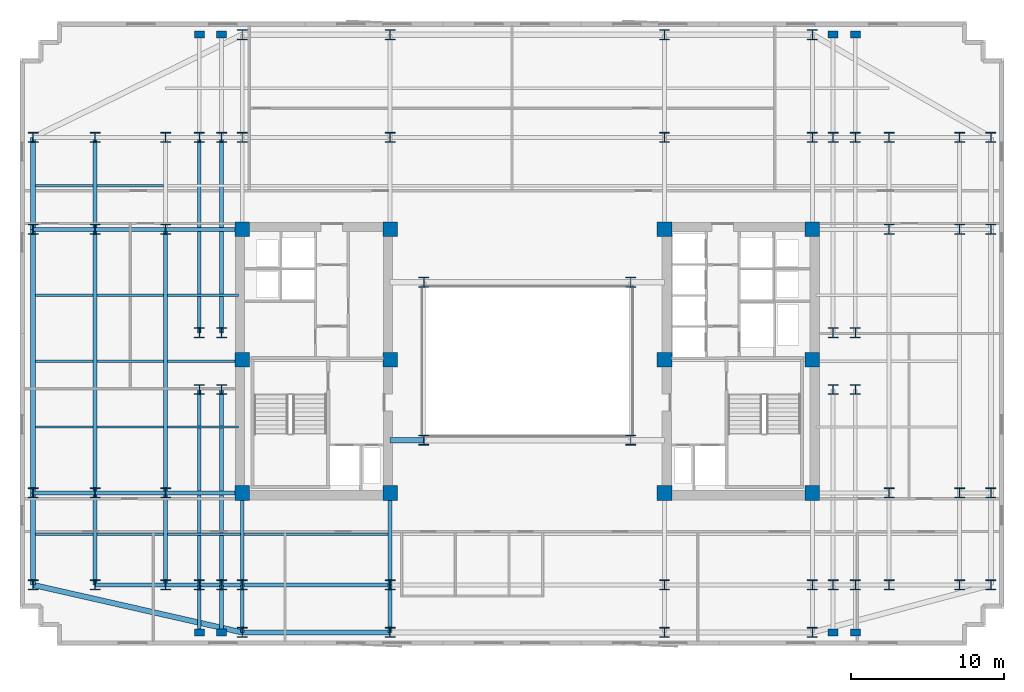
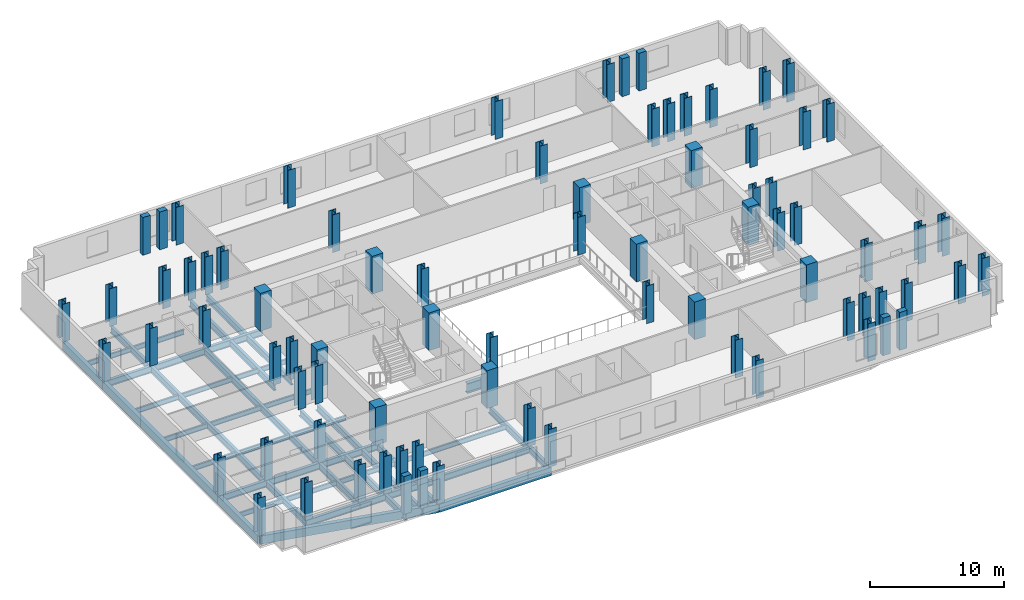
# One storey, part 1 of 10: 80 columns, 45 beams.
"""IFC4 building model written with IfcOpenShell, lengths in metres."""

from ifc_helpers import new_model, si_unit, direction, frame, origin, origin_2d, place, context, subcontext, project, spatial, rectangle, i_section, extrude, material, material_profile, profile_set, type_object, element, save


model = new_model("IFC4")

# Units and contexts
model_context = context("Model", 3, precision=1e-05, world=origin(), true_north=direction((0.0, 1.0)))
body_context = subcontext(model_context, "Body", "Model", "MODEL_VIEW")
ifc_project = project(units=[si_unit("LENGTHUNIT", "METRE"), si_unit("AREAUNIT", "SQUARE_METRE"), si_unit("VOLUMEUNIT", "CUBIC_METRE"), si_unit("PLANEANGLEUNIT", "RADIAN"), si_unit("MASSUNIT", "GRAM", prefix="KILO")], contexts=[model_context])

# Site, building, storey
site_placement = place(None, origin())
site = spatial("IfcSite", under=ifc_project, at=site_placement, CompositionType="ELEMENT")
building_placement = place(site_placement, origin())
building = spatial("IfcBuilding", under=site, at=building_placement, Name="Velakula Bourse", CompositionType="ELEMENT")
storey_placement = place(building_placement, frame((0.0, 0.0, 145.0)))
storey = spatial("IfcBuildingStorey", under=building, at=storey_placement, Name="L39", CompositionType="ELEMENT", Elevation=145.0)

# Columns
ifc_material_1 = material(Name="Concrete M70 (fck 70 MPa)", Category="concrete")
ifc_material_profile_1 = material_profile(ifc_material_1, rectangle(XDim=0.949951171875, YDim=0.949951171875, at=origin_2d()), Name="Concrete M70 (fck 70 MPa)")
ifc_profile_set_1 = profile_set([ifc_material_profile_1], Name="Concrete M70 (fck 70 MPa)")
column_type_1 = type_object("IfcColumnType", Name="COL-RC-950", PredefinedType="COLUMN", material=ifc_profile_set_1)
for number, where, z_axis, x_axis, name in (
    (1, (-8.949951171875, -8.60009765625, 0.0), (0.0, 0.0, 1.0), (1.0, 0.0, 0.0), "L39 Core Boundary Column 01"),
    (2, (-8.949951171875, 0.10009765625, 0.0), (0.0, 0.0, 1.0), (1.0, 0.0, 0.0), "L39 Core Boundary Column 02"),
    (3, (-8.949951171875, 8.60009765625, 0.0), (0.0, 0.0, 1.0), (1.0, 0.0, 0.0), "L39 Core Boundary Column 03"),
    (4, (-18.60009765625, -8.60009765625, 0.0), (0.0, 0.0, 1.0), (1.0, 0.0, 0.0), "L39 Core Boundary Column 04"),
    (5, (-18.60009765625, 0.10009765625, 0.0), (0.0, 0.0, 1.0), (1.0, 0.0, 0.0), "L39 Core Boundary Column 05"),
    (6, (-18.60009765625, 8.60009765625, 0.0), (0.0, 0.0, 1.0), (1.0, 0.0, 0.0), "L39 Core Boundary Column 06"),
    (7, (8.949951171875, -8.60009765625, 0.0), (0.0, 0.0, 1.0), (1.0, 0.0, 0.0), "L39 Core Boundary Column 07"),
    (8, (8.949951171875, 0.10009765625, 0.0), (0.0, 0.0, 1.0), (1.0, 0.0, 0.0), "L39 Core Boundary Column 08"),
    (9, (8.949951171875, 8.60009765625, 0.0), (0.0, 0.0, 1.0), (1.0, 0.0, 0.0), "L39 Core Boundary Column 09"),
    (10, (18.60009765625, -8.60009765625, 0.0), (0.0, 0.0, 1.0), (1.0, 0.0, 0.0), "L39 Core Boundary Column 10"),
    (11, (18.60009765625, 0.10009765625, 0.0), (0.0, 0.0, 1.0), (1.0, 0.0, 0.0), "L39 Core Boundary Column 11"),
    (12, (18.60009765625, 8.60009765625, 0.0), (0.0, 0.0, 1.0), (1.0, 0.0, 0.0), "L39 Core Boundary Column 12"),
):
    element("IfcColumn", number, at=place(storey_placement, frame(where, z_axis=z_axis, x_axis=x_axis)), inside=storey, type_object=column_type_1, Name=name, PredefinedType="COLUMN", context=body_context, shape_type="SweptSolid", body=[
        extrude(rectangle(XDim=0.949951171875, YDim=0.949951171875, at=origin_2d()), origin(), (0.0, 0.0, 1.0), 3.449951171875),
    ])
ifc_material_2 = material(Name="Steel IS 2062 Grade 350 (E350)", Category="steel")
ifc_material_profile_2 = material_profile(ifc_material_2, i_section(OverallWidth=0.64990234375, OverallDepth=0.64990234375, WebThickness=0.028076171875, FlangeThickness=0.0400390625, at=origin_2d()), Name="Steel IS 2062 Grade 350 (E350)")
ifc_profile_set_2 = profile_set([ifc_material_profile_2], Name="Steel IS 2062 Grade 350 (E350)")
column_type_2 = type_object("IfcColumnType", Name="COL-STL-650", PredefinedType="COLUMN", material=ifc_profile_set_2)
for number, where, z_axis, x_axis, name in (
    (13, (-6.75, -5.14990234375, 0.0), (0.0, 0.0, 1.0), (1.0, 0.0, 0.0), "L39 Central Spine Column 01"),
    (14, (-6.75, 5.14990234375, 0.0), (0.0, 0.0, 1.0), (1.0, 0.0, 0.0), "L39 Central Spine Column 02"),
    (15, (6.75, -5.14990234375, 0.0), (0.0, 0.0, 1.0), (1.0, 0.0, 0.0), "L39 Central Spine Column 03"),
    (16, (6.75, 5.14990234375, 0.0), (0.0, 0.0, 1.0), (1.0, 0.0, 0.0), "L39 Central Spine Column 04"),
    (17, (-21.39990234375, -14.60009765625, 0.0), (0.0, 0.0, 1.0), (1.0, 0.0, 0.0), "L39 Tower Fulcrum Column 01"),
    (18, (-21.39990234375, 14.60009765625, 0.0), (0.0, 0.0, 1.0), (1.0, 0.0, 0.0), "L39 Tower Fulcrum Column 02"),
    (19, (-19.949951171875, -14.60009765625, 0.0), (0.0, 0.0, 1.0), (1.0, 0.0, 0.0), "L39 Tower Fulcrum Column 03"),
    (20, (-19.949951171875, 14.60009765625, 0.0), (0.0, 0.0, 1.0), (1.0, 0.0, 0.0), "L39 Tower Fulcrum Column 04"),
    (21, (-18.60009765625, -14.60009765625, 0.0), (0.0, 0.0, 1.0), (1.0, 0.0, 0.0), "L39 Tower Fulcrum Column 05"),
    (22, (-18.60009765625, 14.60009765625, 0.0), (0.0, 0.0, 1.0), (1.0, 0.0, 0.0), "L39 Tower Fulcrum Column 06"),
    (23, (-8.949951171875, -14.60009765625, 0.0), (0.0, 0.0, 1.0), (1.0, 0.0, 0.0), "L39 Tower Fulcrum Column 07"),
    (24, (-8.949951171875, 14.60009765625, 0.0), (0.0, 0.0, 1.0), (1.0, 0.0, 0.0), "L39 Tower Fulcrum Column 08"),
    (25, (8.949951171875, -14.60009765625, 0.0), (0.0, 0.0, 1.0), (1.0, 0.0, 0.0), "L39 Tower Fulcrum Column 09"),
    (26, (8.949951171875, 14.60009765625, 0.0), (0.0, 0.0, 1.0), (1.0, 0.0, 0.0), "L39 Tower Fulcrum Column 10"),
    (27, (18.60009765625, -14.60009765625, 0.0), (0.0, 0.0, 1.0), (1.0, 0.0, 0.0), "L39 Tower Fulcrum Column 11"),
    (28, (18.60009765625, 14.60009765625, 0.0), (0.0, 0.0, 1.0), (1.0, 0.0, 0.0), "L39 Tower Fulcrum Column 12"),
    (29, (19.949951171875, -14.60009765625, 0.0), (0.0, 0.0, 1.0), (1.0, 0.0, 0.0), "L39 Tower Fulcrum Column 13"),
    (30, (19.949951171875, 14.60009765625, 0.0), (0.0, 0.0, 1.0), (1.0, 0.0, 0.0), "L39 Tower Fulcrum Column 14"),
    (31, (21.39990234375, -14.60009765625, 0.0), (0.0, 0.0, 1.0), (1.0, 0.0, 0.0), "L39 Tower Fulcrum Column 15"),
    (32, (21.39990234375, 14.60009765625, 0.0), (0.0, 0.0, 1.0), (1.0, 0.0, 0.0), "L39 Tower Fulcrum Column 16"),
    (33, (-21.39990234375, -1.85009765625, 0.0), (0.0, 0.0, 1.0), (1.0, 0.0, 0.0), "L39 Tower Fulcrum Column 17"),
    (34, (-21.39990234375, 1.85009765625, 0.0), (0.0, 0.0, 1.0), (1.0, 0.0, 0.0), "L39 Tower Fulcrum Column 18"),
    (35, (-19.949951171875, -1.85009765625, 0.0), (0.0, 0.0, 1.0), (1.0, 0.0, 0.0), "L39 Tower Fulcrum Column 19"),
    (36, (-19.949951171875, 1.85009765625, 0.0), (0.0, 0.0, 1.0), (1.0, 0.0, 0.0), "L39 Tower Fulcrum Column 20"),
    (37, (19.949951171875, -1.85009765625, 0.0), (0.0, 0.0, 1.0), (1.0, 0.0, 0.0), "L39 Tower Fulcrum Column 21"),
    (38, (19.949951171875, 1.85009765625, 0.0), (0.0, 0.0, 1.0), (1.0, 0.0, 0.0), "L39 Tower Fulcrum Column 22"),
    (39, (21.39990234375, -1.85009765625, 0.0), (0.0, 0.0, 1.0), (1.0, 0.0, 0.0), "L39 Tower Fulcrum Column 23"),
    (40, (21.39990234375, 1.85009765625, 0.0), (0.0, 0.0, 1.0), (1.0, 0.0, 0.0), "L39 Tower Fulcrum Column 24"),
    (41, (-23.60009765625, -14.60009765625, 0.0), (0.0, 0.0, 1.0), (1.0, 0.0, 0.0), "L39 Mid-Wing Plumb Column 01"),
    (42, (-23.60009765625, -8.60009765625, 0.0), (0.0, 0.0, 1.0), (1.0, 0.0, 0.0), "L39 Mid-Wing Plumb Column 02"),
    (43, (-23.60009765625, 8.60009765625, 0.0), (0.0, 0.0, 1.0), (1.0, 0.0, 0.0), "L39 Mid-Wing Plumb Column 03"),
    (44, (-23.60009765625, 14.60009765625, 0.0), (0.0, 0.0, 1.0), (1.0, 0.0, 0.0), "L39 Mid-Wing Plumb Column 04"),
    (45, (23.60009765625, -14.60009765625, 0.0), (0.0, 0.0, 1.0), (1.0, 0.0, 0.0), "L39 Mid-Wing Plumb Column 05"),
    (46, (23.60009765625, -8.60009765625, 0.0), (0.0, 0.0, 1.0), (1.0, 0.0, 0.0), "L39 Mid-Wing Plumb Column 06"),
    (47, (23.60009765625, 8.60009765625, 0.0), (0.0, 0.0, 1.0), (1.0, 0.0, 0.0), "L39 Mid-Wing Plumb Column 07"),
    (48, (23.60009765625, 14.60009765625, 0.0), (0.0, 0.0, 1.0), (1.0, 0.0, 0.0), "L39 Mid-Wing Plumb Column 08"),
    (49, (-28.199951171875, -14.60009765625, 0.0), (0.0, 0.0, 1.0), (1.0, 0.0, 0.0), "L39 Lower Wing Column 01"),
    (50, (-28.199951171875, -8.60009765625, 0.0), (0.0, 0.0, 1.0), (1.0, 0.0, 0.0), "L39 Lower Wing Column 02"),
    (51, (-28.199951171875, 8.60009765625, 0.0), (0.0, 0.0, 1.0), (1.0, 0.0, 0.0), "L39 Lower Wing Column 03"),
    (52, (-28.199951171875, 14.60009765625, 0.0), (0.0, 0.0, 1.0), (1.0, 0.0, 0.0), "L39 Lower Wing Column 04"),
    (53, (28.199951171875, -14.60009765625, 0.0), (0.0, 0.0, 1.0), (1.0, 0.0, 0.0), "L39 Lower Wing Column 05"),
    (54, (28.199951171875, -8.60009765625, 0.0), (0.0, 0.0, 1.0), (1.0, 0.0, 0.0), "L39 Lower Wing Column 06"),
    (55, (28.199951171875, 8.60009765625, 0.0), (0.0, 0.0, 1.0), (1.0, 0.0, 0.0), "L39 Lower Wing Column 07"),
    (56, (28.199951171875, 14.60009765625, 0.0), (0.0, 0.0, 1.0), (1.0, 0.0, 0.0), "L39 Lower Wing Column 08"),
    (57, (-18.60009765625, -17.699951171875, 0.0), (0.0, 0.0, 1.0), (1.0, 0.0, 0.0), "L39 Block B3 Perimeter Column S1"),
    (58, (-8.949951171875, -17.699951171875, 0.0), (0.0, 0.0, 1.0), (1.0, 0.0, 0.0), "L39 Block B3 Perimeter Column S2"),
    (59, (8.949951171875, -17.699951171875, 0.0), (0.0, 0.0, 1.0), (1.0, 0.0, 0.0), "L39 Block B3 Perimeter Column S3"),
    (60, (18.60009765625, -17.699951171875, 0.0), (0.0, 0.0, 1.0), (1.0, 0.0, 0.0), "L39 Block B3 Perimeter Column S4"),
    (61, (-18.60009765625, 21.300048828125, 0.0), (0.0, 0.0, 1.0), (1.0, 0.0, 0.0), "L39 Block B3 Perimeter Column N1"),
    (62, (-8.949951171875, 21.300048828125, 0.0), (0.0, 0.0, 1.0), (1.0, 0.0, 0.0), "L39 Block B3 Perimeter Column N2"),
    (63, (8.949951171875, 21.300048828125, 0.0), (0.0, 0.0, 1.0), (1.0, 0.0, 0.0), "L39 Block B3 Perimeter Column N3"),
    (64, (18.60009765625, 21.300048828125, 0.0), (0.0, 0.0, 1.0), (1.0, 0.0, 0.0), "L39 Block B3 Perimeter Column N4"),
    (65, (-32.25, -14.60009765625, 0.0), (0.0, 0.0, 1.0), (1.0, 0.0, 0.0), "L39 Block B3 Perimeter Column W1"),
    (66, (-32.25, -8.60009765625, 0.0), (0.0, 0.0, 1.0), (1.0, 0.0, 0.0), "L39 Block B3 Perimeter Column W2"),
    (67, (-32.25, 8.60009765625, 0.0), (0.0, 0.0, 1.0), (1.0, 0.0, 0.0), "L39 Block B3 Perimeter Column W3"),
    (68, (-32.25, 14.60009765625, 0.0), (0.0, 0.0, 1.0), (1.0, 0.0, 0.0), "L39 Block B3 Perimeter Column W4"),
    (69, (30.25, -14.60009765625, 0.0), (0.0, 0.0, 1.0), (1.0, 0.0, 0.0), "L39 Block B3 Perimeter Column E1"),
    (70, (30.25, -8.60009765625, 0.0), (0.0, 0.0, 1.0), (1.0, 0.0, 0.0), "L39 Block B3 Perimeter Column E2"),
    (71, (30.25, 8.60009765625, 0.0), (0.0, 0.0, 1.0), (1.0, 0.0, 0.0), "L39 Block B3 Perimeter Column E3"),
    (72, (30.25, 14.60009765625, 0.0), (0.0, 0.0, 1.0), (1.0, 0.0, 0.0), "L39 Block B3 Perimeter Column E4"),
):
    element("IfcColumn", number, at=place(storey_placement, frame(where, z_axis=z_axis, x_axis=x_axis)), inside=storey, type_object=column_type_2, Name=name, PredefinedType="COLUMN", context=body_context, shape_type="SweptSolid", body=[
        extrude(i_section(OverallWidth=0.64990234375, OverallDepth=0.64990234375, WebThickness=0.028076171875, FlangeThickness=0.0400390625, at=origin_2d()), origin(), (0.0, 0.0, 1.0), 3.449951171875),
    ])
ifc_material_3 = material(Name="Precast concrete M45 (fck 45 MPa)", Category="concrete")
ifc_material_profile_3 = material_profile(ifc_material_3, rectangle(XDim=0.64990234375, YDim=0.449951171875, at=origin_2d()), Name="Precast concrete M45 (fck 45 MPa)")
ifc_profile_set_3 = profile_set([ifc_material_profile_3], Name="Precast concrete M45 (fck 45 MPa)")
column_type_3 = type_object("IfcColumnType", Name="PIL-BRICK-650", PredefinedType="PILASTER", material=ifc_profile_set_3)
for number, where, z_axis, x_axis, name in (
    (73, (-21.39990234375, -17.699951171875, 0.0), (0.0, 0.0, 1.0), (1.0, 0.0, 0.0), "L39 Brick Pier Pilaster 01"),
    (74, (-19.949951171875, -17.699951171875, 0.0), (0.0, 0.0, 1.0), (1.0, 0.0, 0.0), "L39 Brick Pier Pilaster 02"),
    (75, (19.949951171875, -17.699951171875, 0.0), (0.0, 0.0, 1.0), (1.0, 0.0, 0.0), "L39 Brick Pier Pilaster 03"),
    (76, (21.39990234375, -17.699951171875, 0.0), (0.0, 0.0, 1.0), (1.0, 0.0, 0.0), "L39 Brick Pier Pilaster 04"),
    (77, (-21.39990234375, 21.300048828125, 0.0), (0.0, 0.0, 1.0), (1.0, 0.0, 0.0), "L39 Brick Pier Pilaster 05"),
    (78, (-19.949951171875, 21.300048828125, 0.0), (0.0, 0.0, 1.0), (1.0, 0.0, 0.0), "L39 Brick Pier Pilaster 06"),
    (79, (19.949951171875, 21.300048828125, 0.0), (0.0, 0.0, 1.0), (1.0, 0.0, 0.0), "L39 Brick Pier Pilaster 07"),
    (80, (21.39990234375, 21.300048828125, 0.0), (0.0, 0.0, 1.0), (1.0, 0.0, 0.0), "L39 Brick Pier Pilaster 08"),
):
    element("IfcColumn", number, at=place(storey_placement, frame(where, z_axis=z_axis, x_axis=x_axis)), inside=storey, type_object=column_type_3, Name=name, PredefinedType="PILASTER", context=body_context, shape_type="SweptSolid", body=[
        extrude(rectangle(XDim=0.64990234375, YDim=0.449951171875, at=origin_2d()), origin(), (0.0, 0.0, 1.0), 3.449951171875),
    ])

# Beams
ifc_material_profile_4 = material_profile(ifc_material_2, i_section(OverallWidth=0.25, OverallDepth=0.60009765625, WebThickness=0.01123046875, FlangeThickness=0.021240234375, at=origin_2d()), Name="Steel IS 2062 Grade 350 (E350)")
ifc_profile_set_4 = profile_set([ifc_material_profile_4], Name="Steel IS 2062 Grade 350 (E350)")
beam_type_1 = type_object("IfcBeamType", Name="BM-GRD-600M", PredefinedType="BEAM", material=ifc_profile_set_4)
for number, where, z_axis, x_axis, name in (
    (81, (-18.60009765625, -14.60009765625, -0.47998046875), (0.0, 1.0, 0.0), (-1.0, 0.0, 0.0), "L39 Fulcrum Grid Girder FLC-WS"),
    (82, (-8.949951171875, -14.60009765625, -0.47998046875), (0.0, 1.0, 0.0), (-1.0, 0.0, 0.0), "L39 Fulcrum Grid Girder FLC-WCS"),
):
    element("IfcBeam", number, at=place(storey_placement, frame(where, z_axis=z_axis, x_axis=x_axis)), inside=storey, type_object=beam_type_1, Name=name, PredefinedType="BEAM", context=body_context, shape_type="SweptSolid", body=[
        extrude(i_section(OverallWidth=0.25, OverallDepth=0.60009765625, WebThickness=0.01123046875, FlangeThickness=0.021240234375, at=origin_2d()), origin(), (0.0, 0.0, 1.0), 6.0),
    ])
beam_1_placement = place(storey_placement, frame((-18.60009765625, -14.60009765625, -0.47998046875), z_axis=(1.0, 0.0, 0.0), x_axis=(0.0, 1.0, 0.0)))
element("IfcBeam", 83, at=beam_1_placement, inside=storey, type_object=beam_type_1, Name="L39 Fulcrum Grid Girder FLC-S1", PredefinedType="BEAM", context=body_context, shape_type="SweptSolid", body=[
    extrude(i_section(OverallWidth=0.25, OverallDepth=0.60009765625, WebThickness=0.01123046875, FlangeThickness=0.021240234375, at=origin_2d()), origin(), (0.0, 0.0, 1.0), 9.650146484375),
])
for number, where, z_axis, x_axis, name in (
    (84, (-21.39990234375, -14.60009765625, -0.47998046875), (0.0, 1.0, 0.0), (-1.0, 0.0, 0.0), "L39 Fulcrum Grid Girder FLC-PSW1"),
    (85, (-21.39990234375, 1.85009765625, -0.47998046875), (0.0, 1.0, 0.0), (-1.0, 0.0, 0.0), "L39 Fulcrum Grid Girder FLC-PNW1"),
    (86, (-19.949951171875, -14.60009765625, -0.47998046875), (0.0, 1.0, 0.0), (-1.0, 0.0, 0.0), "L39 Fulcrum Grid Girder FLC-PSW2"),
    (87, (-19.949951171875, 1.85009765625, -0.47998046875), (0.0, 1.0, 0.0), (-1.0, 0.0, 0.0), "L39 Fulcrum Grid Girder FLC-PNW2"),
):
    element("IfcBeam", number, at=place(storey_placement, frame(where, z_axis=z_axis, x_axis=x_axis)), inside=storey, type_object=beam_type_1, Name=name, PredefinedType="BEAM", context=body_context, shape_type="SweptSolid", body=[
        extrude(i_section(OverallWidth=0.25, OverallDepth=0.60009765625, WebThickness=0.01123046875, FlangeThickness=0.021240234375, at=origin_2d()), origin(), (0.0, 0.0, 1.0), 12.75),
    ])
for number, where, z_axis, x_axis, name in (
    (88, (-23.60009765625, -14.60009765625, -0.47998046875), (1.0, 0.0, 0.0), (0.0, 1.0, 0.0), "L39 Fulcrum Grid Girder MWG-WS1"),
    (89, (-23.60009765625, -8.60009765625, -0.47998046875), (1.0, 0.0, 0.0), (0.0, 1.0, 0.0), "L39 Fulcrum Grid Girder MWG-WS2"),
    (90, (-23.60009765625, 8.60009765625, -0.47998046875), (1.0, 0.0, 0.0), (0.0, 1.0, 0.0), "L39 Fulcrum Grid Girder MWG-WN1"),
):
    element("IfcBeam", number, at=place(storey_placement, frame(where, z_axis=z_axis, x_axis=x_axis)), inside=storey, type_object=beam_type_1, Name=name, PredefinedType="BEAM", context=body_context, shape_type="SweptSolid", body=[
        extrude(i_section(OverallWidth=0.25, OverallDepth=0.60009765625, WebThickness=0.01123046875, FlangeThickness=0.021240234375, at=origin_2d()), origin(), (0.0, 0.0, 1.0), 5.0),
    ])
beam_2_placement = place(storey_placement, frame((-23.60009765625, -14.60009765625, -0.47998046875), z_axis=(0.0, 1.0, 0.0), x_axis=(-1.0, 0.0, 0.0)))
element("IfcBeam", 91, at=beam_2_placement, inside=storey, type_object=beam_type_1, Name="L39 Fulcrum Grid Girder MWG-WNS1", PredefinedType="BEAM", context=body_context, shape_type="SweptSolid", body=[
    extrude(i_section(OverallWidth=0.25, OverallDepth=0.60009765625, WebThickness=0.01123046875, FlangeThickness=0.021240234375, at=origin_2d()), origin(), (0.0, 0.0, 1.0), 6.0),
])
beam_3_placement = place(storey_placement, frame((-23.60009765625, -8.60009765625, -0.47998046875), z_axis=(0.0, 1.0, 0.0), x_axis=(-1.0, 0.0, 0.0)))
element("IfcBeam", 92, at=beam_3_placement, inside=storey, type_object=beam_type_1, Name="L39 Fulcrum Grid Girder MWG-WNS2", PredefinedType="BEAM", context=body_context, shape_type="SweptSolid", body=[
    extrude(i_section(OverallWidth=0.25, OverallDepth=0.60009765625, WebThickness=0.01123046875, FlangeThickness=0.021240234375, at=origin_2d()), origin(), (0.0, 0.0, 1.0), 17.2001953125),
])
for number, where, z_axis, x_axis, name in (
    (93, (-28.199951171875, -14.60009765625, -0.47998046875), (1.0, 0.0, 0.0), (0.0, 1.0, 0.0), "L39 Fulcrum Grid Girder WNG-WS1"),
    (94, (-28.199951171875, -8.60009765625, -0.47998046875), (1.0, 0.0, 0.0), (0.0, 1.0, 0.0), "L39 Fulcrum Grid Girder WNG-WS2"),
    (95, (-28.199951171875, 8.60009765625, -0.47998046875), (1.0, 0.0, 0.0), (0.0, 1.0, 0.0), "L39 Fulcrum Grid Girder WNG-WN1"),
):
    element("IfcBeam", number, at=place(storey_placement, frame(where, z_axis=z_axis, x_axis=x_axis)), inside=storey, type_object=beam_type_1, Name=name, PredefinedType="BEAM", context=body_context, shape_type="SweptSolid", body=[
        extrude(i_section(OverallWidth=0.25, OverallDepth=0.60009765625, WebThickness=0.01123046875, FlangeThickness=0.021240234375, at=origin_2d()), origin(), (0.0, 0.0, 1.0), 4.599853515625),
    ])
beam_4_placement = place(storey_placement, frame((-28.199951171875, -14.60009765625, -0.47998046875), z_axis=(0.0, 1.0, 0.0), x_axis=(-1.0, 0.0, 0.0)))
element("IfcBeam", 96, at=beam_4_placement, inside=storey, type_object=beam_type_1, Name="L39 Fulcrum Grid Girder WNG-WNS1", PredefinedType="BEAM", context=body_context, shape_type="SweptSolid", body=[
    extrude(i_section(OverallWidth=0.25, OverallDepth=0.60009765625, WebThickness=0.01123046875, FlangeThickness=0.021240234375, at=origin_2d()), origin(), (0.0, 0.0, 1.0), 6.0),
])
beam_5_placement = place(storey_placement, frame((-28.199951171875, -8.60009765625, -0.47998046875), z_axis=(0.0, 1.0, 0.0), x_axis=(-1.0, 0.0, 0.0)))
element("IfcBeam", 97, at=beam_5_placement, inside=storey, type_object=beam_type_1, Name="L39 Fulcrum Grid Girder WNG-WNS2", PredefinedType="BEAM", context=body_context, shape_type="SweptSolid", body=[
    extrude(i_section(OverallWidth=0.25, OverallDepth=0.60009765625, WebThickness=0.01123046875, FlangeThickness=0.021240234375, at=origin_2d()), origin(), (0.0, 0.0, 1.0), 17.2001953125),
])
beam_6_placement = place(storey_placement, frame((-28.199951171875, 8.60009765625, -0.47998046875), z_axis=(0.0, 1.0, 0.0), x_axis=(-1.0, 0.0, 0.0)))
element("IfcBeam", 98, at=beam_6_placement, inside=storey, type_object=beam_type_1, Name="L39 Fulcrum Grid Girder WNG-WNS3", PredefinedType="BEAM", context=body_context, shape_type="SweptSolid", body=[
    extrude(i_section(OverallWidth=0.25, OverallDepth=0.60009765625, WebThickness=0.01123046875, FlangeThickness=0.021240234375, at=origin_2d()), origin(), (0.0, 0.0, 1.0), 6.0),
])
for number, where, z_axis, x_axis, name in (
    (99, (-18.60009765625, -14.60009765625, -0.47998046875), (0.0, -1.0, 0.0), (1.0, 0.0, 0.0), "L39 Perimeter Tie Girder S1"),
    (100, (-8.949951171875, -14.60009765625, -0.47998046875), (0.0, -1.0, 0.0), (1.0, 0.0, 0.0), "L39 Perimeter Tie Girder S2"),
):
    element("IfcBeam", number, at=place(storey_placement, frame(where, z_axis=z_axis, x_axis=x_axis)), inside=storey, type_object=beam_type_1, Name=name, PredefinedType="BEAM", context=body_context, shape_type="SweptSolid", body=[
        extrude(i_section(OverallWidth=0.25, OverallDepth=0.60009765625, WebThickness=0.01123046875, FlangeThickness=0.021240234375, at=origin_2d()), origin(), (0.0, 0.0, 1.0), 3.099853515625),
    ])
for number, where, z_axis, x_axis, name in (
    (101, (-28.199951171875, -8.60009765625, -0.47998046875), (-1.0, 0.0, 0.0), (0.0, -1.0, 0.0), "L39 Perimeter Tie Girder W2"),
    (102, (-28.199951171875, 8.60009765625, -0.47998046875), (-1.0, 0.0, 0.0), (0.0, -1.0, 0.0), "L39 Perimeter Tie Girder W3"),
):
    element("IfcBeam", number, at=place(storey_placement, frame(where, z_axis=z_axis, x_axis=x_axis)), inside=storey, type_object=beam_type_1, Name=name, PredefinedType="BEAM", context=body_context, shape_type="SweptSolid", body=[
        extrude(i_section(OverallWidth=0.25, OverallDepth=0.60009765625, WebThickness=0.01123046875, FlangeThickness=0.021240234375, at=origin_2d()), origin(), (0.0, 0.0, 1.0), 4.050048828125),
    ])
for number, where, z_axis, x_axis, name in (
    (103, (-21.39990234375, -14.60009765625, -0.47998046875), (0.0, -1.0, 0.0), (1.0, 0.0, 0.0), "L39 Perimeter Tie Girder P01"),
    (104, (-19.949951171875, -14.60009765625, -0.47998046875), (0.0, -1.0, 0.0), (1.0, 0.0, 0.0), "L39 Perimeter Tie Girder P02"),
):
    element("IfcBeam", number, at=place(storey_placement, frame(where, z_axis=z_axis, x_axis=x_axis)), inside=storey, type_object=beam_type_1, Name=name, PredefinedType="BEAM", context=body_context, shape_type="SweptSolid", body=[
        extrude(i_section(OverallWidth=0.25, OverallDepth=0.60009765625, WebThickness=0.01123046875, FlangeThickness=0.021240234375, at=origin_2d()), origin(), (0.0, 0.0, 1.0), 3.099853515625),
    ])
ifc_material_profile_5 = material_profile(ifc_material_2, i_section(OverallWidth=0.35009765625, OverallDepth=0.89990234375, WebThickness=0.02001953125, FlangeThickness=0.031982421875, at=origin_2d()), Name="Steel IS 2062 Grade 350 (E350)")
ifc_profile_set_5 = profile_set([ifc_material_profile_5], Name="Steel IS 2062 Grade 350 (E350)")
beam_type_2 = type_object("IfcBeamType", Name="BM-LNK-900", PredefinedType="BEAM", material=ifc_profile_set_5)
beam_7_placement = place(storey_placement, frame((-8.949951171875, -5.14990234375, -0.6298828125), z_axis=(1.0, 0.0, 0.0), x_axis=(0.0, 1.0, 0.0)))
element("IfcBeam", 105, at=beam_7_placement, inside=storey, type_object=beam_type_2, Name="L39 Primary Backbone Girder LNK-S1", PredefinedType="BEAM", context=body_context, shape_type="SweptSolid", body=[
    extrude(i_section(OverallWidth=0.35009765625, OverallDepth=0.89990234375, WebThickness=0.02001953125, FlangeThickness=0.031982421875, at=origin_2d()), origin(), (0.0, 0.0, 1.0), 2.199951171875),
])
ifc_material_profile_6 = material_profile(ifc_material_2, i_section(OverallWidth=0.14990234375, OverallDepth=0.449951171875, WebThickness=0.009521484375, FlangeThickness=0.017333984375, at=origin_2d()), Name="Steel IS 2062 Grade 350 (E350)")
ifc_profile_set_6 = profile_set([ifc_material_profile_6], Name="Steel IS 2062 Grade 350 (E350)")
beam_type_3 = type_object("IfcBeamType", Name="JST-TWR-450", PredefinedType="JOIST", material=ifc_profile_set_6)
beam_8_placement = place(storey_placement, frame((-32.074951171875, -11.300048828125, -0.405029296875), z_axis=(1.0, 0.0, 0.0), x_axis=(0.0, 1.0, 0.0)))
element("IfcBeam", 106, at=beam_8_placement, inside=storey, type_object=beam_type_3, Name="L39 Trading Floor Composite Joist 01", PredefinedType="JOIST", context=body_context, shape_type="SweptSolid", body=[
    extrude(i_section(OverallWidth=0.14990234375, OverallDepth=0.449951171875, WebThickness=0.009521484375, FlangeThickness=0.017333984375, at=origin_2d()), origin(), (0.0, 0.0, 1.0), 3.75),
])
beam_9_placement = place(storey_placement, frame((-28.074951171875, -11.300048828125, -0.405029296875), z_axis=(1.0, 0.0, 0.0), x_axis=(0.0, 1.0, 0.0)))
element("IfcBeam", 107, at=beam_9_placement, inside=storey, type_object=beam_type_3, Name="L39 Trading Floor Composite Joist 02", PredefinedType="JOIST", context=body_context, shape_type="SweptSolid", body=[
    extrude(i_section(OverallWidth=0.14990234375, OverallDepth=0.449951171875, WebThickness=0.009521484375, FlangeThickness=0.017333984375, at=origin_2d()), origin(), (0.0, 0.0, 1.0), 4.349853515625),
])
beam_10_placement = place(storey_placement, frame((-23.47509765625, -11.300048828125, -0.405029296875), z_axis=(1.0, 0.0, 0.0), x_axis=(0.0, 1.0, 0.0)))
element("IfcBeam", 108, at=beam_10_placement, inside=storey, type_object=beam_type_3, Name="L39 Trading Floor Composite Joist 03", PredefinedType="JOIST", context=body_context, shape_type="SweptSolid", body=[
    extrude(i_section(OverallWidth=0.14990234375, OverallDepth=0.449951171875, WebThickness=0.009521484375, FlangeThickness=0.017333984375, at=origin_2d()), origin(), (0.0, 0.0, 1.0), 4.75),
])
beam_11_placement = place(storey_placement, frame((-18.47509765625, -11.300048828125, -0.405029296875), z_axis=(1.0, 0.0, 0.0), x_axis=(0.0, 1.0, 0.0)))
element("IfcBeam", 109, at=beam_11_placement, inside=storey, type_object=beam_type_3, Name="L39 Trading Floor Composite Joist 04", PredefinedType="JOIST", context=body_context, shape_type="SweptSolid", body=[
    extrude(i_section(OverallWidth=0.14990234375, OverallDepth=0.449951171875, WebThickness=0.009521484375, FlangeThickness=0.017333984375, at=origin_2d()), origin(), (0.0, 0.0, 1.0), 9.400146484375),
])
beam_12_placement = place(storey_placement, frame((-32.074951171875, 11.449951171875, -0.405029296875), z_axis=(1.0, 0.0, 0.0), x_axis=(0.0, 1.0, 0.0)))
element("IfcBeam", 110, at=beam_12_placement, inside=storey, type_object=beam_type_3, Name="L39 Trading Floor Composite Joist 09", PredefinedType="JOIST", context=body_context, shape_type="SweptSolid", body=[
    extrude(i_section(OverallWidth=0.14990234375, OverallDepth=0.449951171875, WebThickness=0.009521484375, FlangeThickness=0.017333984375, at=origin_2d()), origin(), (0.0, 0.0, 1.0), 3.75),
])
beam_13_placement = place(storey_placement, frame((-28.074951171875, 11.449951171875, -0.405029296875), z_axis=(1.0, 0.0, 0.0), x_axis=(0.0, 1.0, 0.0)))
element("IfcBeam", 111, at=beam_13_placement, inside=storey, type_object=beam_type_3, Name="L39 Trading Floor Composite Joist 10", PredefinedType="JOIST", context=body_context, shape_type="SweptSolid", body=[
    extrude(i_section(OverallWidth=0.14990234375, OverallDepth=0.449951171875, WebThickness=0.009521484375, FlangeThickness=0.017333984375, at=origin_2d()), origin(), (0.0, 0.0, 1.0), 4.349853515625),
])
beam_14_placement = place(storey_placement, frame((-32.074951171875, -4.300048828125, -0.405029296875), z_axis=(1.0, 0.0, 0.0), x_axis=(0.0, 1.0, 0.0)))
element("IfcBeam", 112, at=beam_14_placement, inside=storey, type_object=beam_type_3, Name="L39 Trading Floor Composite Joist 25", PredefinedType="JOIST", context=body_context, shape_type="SweptSolid", body=[
    extrude(i_section(OverallWidth=0.14990234375, OverallDepth=0.449951171875, WebThickness=0.009521484375, FlangeThickness=0.017333984375, at=origin_2d()), origin(), (0.0, 0.0, 1.0), 3.75),
])
beam_15_placement = place(storey_placement, frame((-28.074951171875, -4.300048828125, -0.405029296875), z_axis=(1.0, 0.0, 0.0), x_axis=(0.0, 1.0, 0.0)))
element("IfcBeam", 113, at=beam_15_placement, inside=storey, type_object=beam_type_3, Name="L39 Trading Floor Composite Joist 26", PredefinedType="JOIST", context=body_context, shape_type="SweptSolid", body=[
    extrude(i_section(OverallWidth=0.14990234375, OverallDepth=0.449951171875, WebThickness=0.009521484375, FlangeThickness=0.017333984375, at=origin_2d()), origin(), (0.0, 0.0, 1.0), 4.349853515625),
])
beam_16_placement = place(storey_placement, frame((-23.47509765625, -4.300048828125, -0.405029296875), z_axis=(1.0, 0.0, 0.0), x_axis=(0.0, 1.0, 0.0)))
element("IfcBeam", 114, at=beam_16_placement, inside=storey, type_object=beam_type_3, Name="L39 Trading Floor Composite Joist 27", PredefinedType="JOIST", context=body_context, shape_type="SweptSolid", body=[
    extrude(i_section(OverallWidth=0.14990234375, OverallDepth=0.449951171875, WebThickness=0.009521484375, FlangeThickness=0.017333984375, at=origin_2d()), origin(), (0.0, 0.0, 1.0), 4.625),
])
beam_17_placement = place(storey_placement, frame((-32.074951171875, 0.0, -0.405029296875), z_axis=(1.0, 0.0, 0.0), x_axis=(0.0, 1.0, 0.0)))
element("IfcBeam", 115, at=beam_17_placement, inside=storey, type_object=beam_type_3, Name="L39 Trading Floor Composite Joist 30", PredefinedType="JOIST", context=body_context, shape_type="SweptSolid", body=[
    extrude(i_section(OverallWidth=0.14990234375, OverallDepth=0.449951171875, WebThickness=0.009521484375, FlangeThickness=0.017333984375, at=origin_2d()), origin(), (0.0, 0.0, 1.0), 3.75),
])
beam_18_placement = place(storey_placement, frame((-28.074951171875, 0.0, -0.405029296875), z_axis=(1.0, 0.0, 0.0), x_axis=(0.0, 1.0, 0.0)))
element("IfcBeam", 116, at=beam_18_placement, inside=storey, type_object=beam_type_3, Name="L39 Trading Floor Composite Joist 31", PredefinedType="JOIST", context=body_context, shape_type="SweptSolid", body=[
    extrude(i_section(OverallWidth=0.14990234375, OverallDepth=0.449951171875, WebThickness=0.009521484375, FlangeThickness=0.017333984375, at=origin_2d()), origin(), (0.0, 0.0, 1.0), 4.349853515625),
])
beam_19_placement = place(storey_placement, frame((-23.47509765625, 0.0, -0.405029296875), z_axis=(1.0, 0.0, 0.0), x_axis=(0.0, 1.0, 0.0)))
element("IfcBeam", 117, at=beam_19_placement, inside=storey, type_object=beam_type_3, Name="L39 Trading Floor Composite Joist 32", PredefinedType="JOIST", context=body_context, shape_type="SweptSolid", body=[
    extrude(i_section(OverallWidth=0.14990234375, OverallDepth=0.449951171875, WebThickness=0.009521484375, FlangeThickness=0.017333984375, at=origin_2d()), origin(), (0.0, 0.0, 1.0), 4.625),
])
beam_20_placement = place(storey_placement, frame((-32.074951171875, 4.300048828125, -0.405029296875), z_axis=(1.0, 0.0, 0.0), x_axis=(0.0, 1.0, 0.0)))
element("IfcBeam", 118, at=beam_20_placement, inside=storey, type_object=beam_type_3, Name="L39 Trading Floor Composite Joist 35", PredefinedType="JOIST", context=body_context, shape_type="SweptSolid", body=[
    extrude(i_section(OverallWidth=0.14990234375, OverallDepth=0.449951171875, WebThickness=0.009521484375, FlangeThickness=0.017333984375, at=origin_2d()), origin(), (0.0, 0.0, 1.0), 3.75),
])
beam_21_placement = place(storey_placement, frame((-28.074951171875, 4.300048828125, -0.405029296875), z_axis=(1.0, 0.0, 0.0), x_axis=(0.0, 1.0, 0.0)))
element("IfcBeam", 119, at=beam_21_placement, inside=storey, type_object=beam_type_3, Name="L39 Trading Floor Composite Joist 36", PredefinedType="JOIST", context=body_context, shape_type="SweptSolid", body=[
    extrude(i_section(OverallWidth=0.14990234375, OverallDepth=0.449951171875, WebThickness=0.009521484375, FlangeThickness=0.017333984375, at=origin_2d()), origin(), (0.0, 0.0, 1.0), 4.349853515625),
])
beam_22_placement = place(storey_placement, frame((-23.47509765625, 4.300048828125, -0.405029296875), z_axis=(1.0, 0.0, 0.0), x_axis=(0.0, 1.0, 0.0)))
element("IfcBeam", 120, at=beam_22_placement, inside=storey, type_object=beam_type_3, Name="L39 Trading Floor Composite Joist 37", PredefinedType="JOIST", context=body_context, shape_type="SweptSolid", body=[
    extrude(i_section(OverallWidth=0.14990234375, OverallDepth=0.449951171875, WebThickness=0.009521484375, FlangeThickness=0.017333984375, at=origin_2d()), origin(), (0.0, 0.0, 1.0), 4.625),
])
ifc_material_profile_7 = material_profile(ifc_material_3, rectangle(XDim=0.35009765625, YDim=0.75, at=origin_2d()), Name="Precast concrete M45 (fck 45 MPa)")
ifc_profile_set_7 = profile_set([ifc_material_profile_7], Name="Precast concrete M45 (fck 45 MPa)")
beam_type_4 = type_object("IfcBeamType", Name="SPN-BRICK-750", PredefinedType="SPANDREL", material=ifc_profile_set_7)
beam_23_placement = place(storey_placement, frame((-18.60009765625, -17.699951171875, -0.554931640625), z_axis=(1.0, 0.0, 0.0), x_axis=(0.0, 1.0, 0.0)))
element("IfcBeam", 121, at=beam_23_placement, inside=storey, type_object=beam_type_4, Name="L39 Brick-Faced Precast Spandrel S1-S2", PredefinedType="SPANDREL", context=body_context, shape_type="SweptSolid", body=[
    extrude(rectangle(XDim=0.35009765625, YDim=0.75, at=origin_2d()), origin(), (0.0, 0.0, 1.0), 9.650146484375),
])
beam_24_placement = place(storey_placement, frame((-32.25, -14.60009765625, -0.554931640625), z_axis=(0.0, 1.0, 0.0), x_axis=(-1.0, 0.0, 0.0)))
element("IfcBeam", 122, at=beam_24_placement, inside=storey, type_object=beam_type_4, Name="L39 Brick-Faced Precast Spandrel W1-W2", PredefinedType="SPANDREL", context=body_context, shape_type="SweptSolid", body=[
    extrude(rectangle(XDim=0.35009765625, YDim=0.75, at=origin_2d()), origin(), (0.0, 0.0, 1.0), 6.0),
])
beam_25_placement = place(storey_placement, frame((-32.25, -8.60009765625, -0.554931640625), z_axis=(0.0, 1.0, 0.0), x_axis=(-1.0, 0.0, 0.0)))
element("IfcBeam", 123, at=beam_25_placement, inside=storey, type_object=beam_type_4, Name="L39 Brick-Faced Precast Spandrel W2-W3", PredefinedType="SPANDREL", context=body_context, shape_type="SweptSolid", body=[
    extrude(rectangle(XDim=0.35009765625, YDim=0.75, at=origin_2d()), origin(), (0.0, 0.0, 1.0), 17.2001953125),
])
beam_26_placement = place(storey_placement, frame((-32.25, 8.60009765625, -0.554931640625), z_axis=(0.0, 1.0, 0.0), x_axis=(-1.0, 0.0, 0.0)))
element("IfcBeam", 124, at=beam_26_placement, inside=storey, type_object=beam_type_4, Name="L39 Brick-Faced Precast Spandrel W3-W4", PredefinedType="SPANDREL", context=body_context, shape_type="SweptSolid", body=[
    extrude(rectangle(XDim=0.35009765625, YDim=0.75, at=origin_2d()), origin(), (0.0, 0.0, 1.0), 6.0),
])
beam_27_placement = place(storey_placement, frame((-32.25, -14.60009765625, -0.554931640625), z_axis=(0.975169850292, -0.221458264875, 0.0), x_axis=(0.221458264875, 0.975169850292, 0.0)))
element("IfcBeam", 125, at=beam_27_placement, inside=storey, type_object=beam_type_4, Name="L39 Brick-Faced Precast Spandrel W1-S1", PredefinedType="SPANDREL", context=body_context, shape_type="SweptSolid", body=[
    extrude(rectangle(XDim=0.35009765625, YDim=0.75, at=origin_2d()), origin(), (0.0, 0.0, 1.0), 13.99755859375),
])

save(model, "model.ifc")
